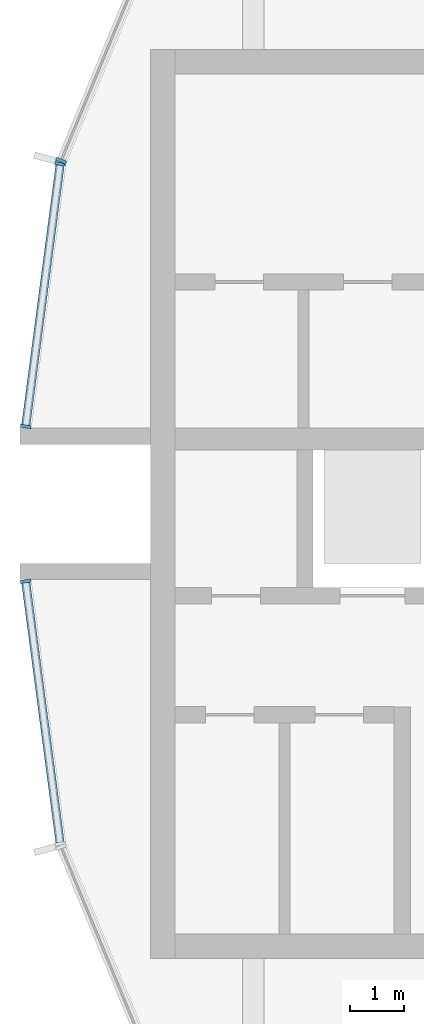
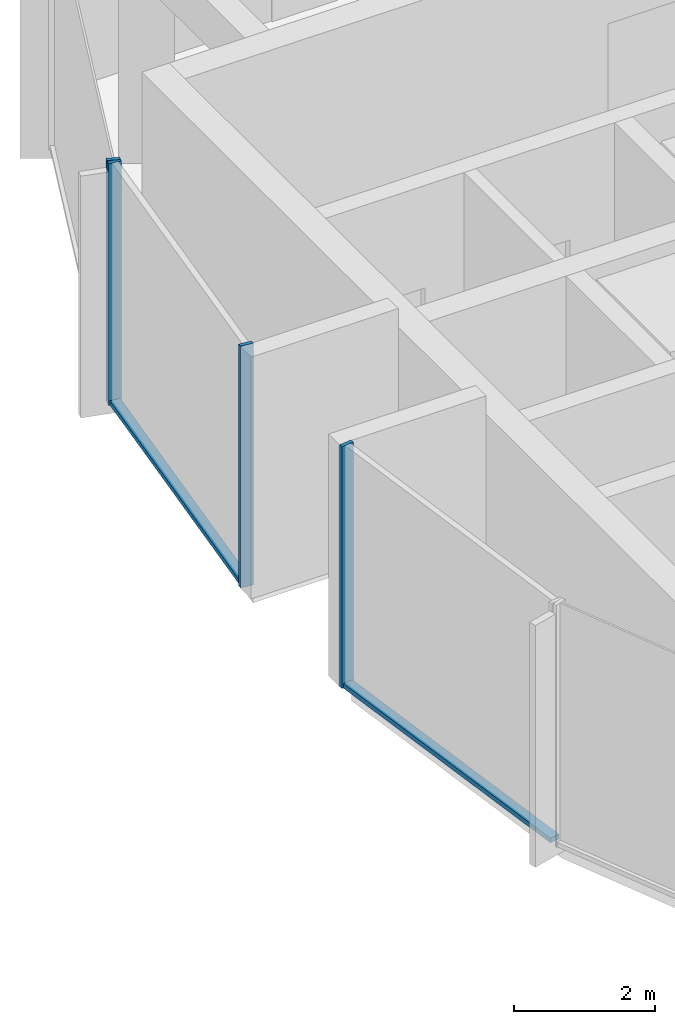
# One storey, part 3 of 15: 6 members, 3 elements without a shape of their own.
"""IFC4 building model written with IfcOpenShell, lengths in metres."""

from ifc_helpers import new_model, si_unit, direction, frame, origin, origin_2d, place, context, subcontext, project, spatial, rectangle, extrude, material, layer, layer_set, material_profile, profile_set, type_object, element, aggregate, save


model = new_model("IFC4")

# Units and contexts
model_context = context("Model", 3, precision=1e-05, world=origin(), true_north=direction((0.0, 1.0)))
body_context = subcontext(model_context, "Body", "Model", "MODEL_VIEW")
ifc_project = project(units=[si_unit("LENGTHUNIT", "METRE"), si_unit("AREAUNIT", "SQUARE_METRE"), si_unit("VOLUMEUNIT", "CUBIC_METRE"), si_unit("PLANEANGLEUNIT", "RADIAN"), si_unit("MASSUNIT", "GRAM", prefix="KILO")], contexts=[model_context])

# Site, building, storey
site_placement = place(None, origin())
site = spatial("IfcSite", under=ifc_project, at=site_placement, CompositionType="ELEMENT")
building_placement = place(site_placement, origin())
building = spatial("IfcBuilding", under=site, at=building_placement, Name="Torre Brocal", CompositionType="ELEMENT")
storey_placement = place(building_placement, frame((0.0, 0.0, 284.10009765625)))
storey = spatial("IfcBuildingStorey", under=building, at=storey_placement, Name="L65", CompositionType="ELEMENT", Elevation=284.10009765625)

# Curtain wall, member
ifc_material_1 = material(Name="Aluminium and glass", Category="aluminium")
ifc_layer_1 = layer(ifc_material_1, 0.199951171875)
ifc_layer_set_1 = layer_set([ifc_layer_1], Name="Aluminium and glass")
curtain_wall_type_1 = type_object("IfcCurtainWallType", Name="CW-1 CURTAIN WALL 4200 HIGH", PredefinedType="NOTDEFINED", material=ifc_layer_set_1)
curtain_wall_1_placement = place(storey_placement, origin())
curtain_wall_1 = element("IfcCurtainWall", 1, at=curtain_wall_1_placement, inside=storey, type_object=curtain_wall_type_1, Name="CW-1 RUN 11", PredefinedType="NOTDEFINED")
ifc_material_2 = material(Name="Aluminium, dark anodised", Category="aluminium")
ifc_material_profile_1 = material_profile(ifc_material_2, rectangle(XDim=0.199951171875, YDim=0.06005859375, at=origin_2d()), Name="CW-1 MULLION 60X200")
ifc_profile_set_1 = profile_set([ifc_material_profile_1], Name="Aluminium, dark anodised")
member_type_1 = type_object("IfcMemberType", Name="CW-1 MULLION 60X200", PredefinedType="MULLION", material=ifc_profile_set_1)
member_1_placement = place(storey_placement, frame((56.443603515625, 81.3427734375, 0.0), z_axis=(0.0, 0.0, 1.0), x_axis=(0.923879532471, -0.382683432462, 0.0)))
member_1 = element("IfcMember", 2, at=member_1_placement, type_object=member_type_1, Name="CW1-5 mullion 2", PredefinedType="MULLION", context=body_context, shape_type="SweptSolid", body=[
    extrude(rectangle(XDim=0.199951171875, YDim=0.06005859375, at=origin_2d()), origin(), (0.0, 0.0, 1.0), 4.199951171875),
])
aggregate(curtain_wall_1, [member_1])

# Curtain wall, members
ifc_material_3 = material(Name="Aluminium and glass", Category="aluminium")
ifc_layer_2 = layer(ifc_material_3, 0.199951171875)
ifc_layer_set_2 = layer_set([ifc_layer_2], Name="Aluminium and glass")
curtain_wall_type_2 = type_object("IfcCurtainWallType", Name="CW-1B CURTAIN WALL 4200 HIGH", PredefinedType="NOTDEFINED", material=ifc_layer_set_2)
curtain_wall_2_placement = place(storey_placement, origin())
curtain_wall_2 = element("IfcCurtainWall", 3, at=curtain_wall_2_placement, inside=storey, type_object=curtain_wall_type_2, Name="CW-1B RUN 12", PredefinedType="NOTDEFINED")
ifc_material_4 = material(Name="Aluminium, dark anodised", Category="aluminium")
ifc_material_profile_2 = material_profile(ifc_material_4, rectangle(XDim=0.199951171875, YDim=0.06005859375, at=origin_2d()), Name="CW-1B MULLION 60X200")
ifc_profile_set_2 = profile_set([ifc_material_profile_2], Name="Aluminium, dark anodised")
member_type_2 = type_object("IfcMemberType", Name="CW-1B MULLION 60X200", PredefinedType="MULLION", material=ifc_profile_set_2)
member_2_placement = place(storey_placement, frame((56.42822265625, 81.28515625, 0.0), z_axis=(0.0, 0.0, 1.0), x_axis=(0.991444861387, -0.130526192116, 0.0)))
member_2 = element("IfcMember", 4, at=member_2_placement, type_object=member_type_2, Name="CW1B-5 mullion 1", PredefinedType="MULLION", context=body_context, shape_type="SweptSolid", body=[
    extrude(rectangle(XDim=0.199951171875, YDim=0.06005859375, at=origin_2d()), origin(), (0.0, 0.0, 1.0), 4.199951171875),
])
member_3_placement = place(storey_placement, frame((55.7890625, 76.4296875, 0.0), z_axis=(0.0, 0.0, 1.0), x_axis=(0.991444861387, -0.130526192116, 0.0)))
member_3 = element("IfcMember", 5, at=member_3_placement, type_object=member_type_2, Name="CW1B-5 mullion 2", PredefinedType="MULLION", context=body_context, shape_type="SweptSolid", body=[
    extrude(rectangle(XDim=0.199951171875, YDim=0.06005859375, at=origin_2d()), origin(), (0.0, 0.0, 1.0), 4.199951171875),
])

# Curtain wall, member
curtain_wall_3_placement = place(storey_placement, origin())
curtain_wall_3 = element("IfcCurtainWall", 6, at=curtain_wall_3_placement, inside=storey, type_object=curtain_wall_type_2, Name="CW-1B RUN 13", PredefinedType="NOTDEFINED")
member_4_placement = place(storey_placement, frame((55.7890625, 73.5703125, 0.0), z_axis=(0.0, 0.0, 1.0), x_axis=(0.991444861387, 0.130526192116, 0.0)))
member_4 = element("IfcMember", 7, at=member_4_placement, type_object=member_type_2, Name="CW1B-5 mullion 1", PredefinedType="MULLION", context=body_context, shape_type="SweptSolid", body=[
    extrude(rectangle(XDim=0.199951171875, YDim=0.06005859375, at=origin_2d()), origin(), (0.0, 0.0, 1.0), 4.199951171875),
])

# Member
ifc_material_5 = material(Name="Aluminium, dark anodised", Category="aluminium")
ifc_material_profile_3 = material_profile(ifc_material_5, rectangle(XDim=0.159912109375, YDim=0.080078125, at=origin_2d()), Name="CW-1B TRANSOM 160X80")
ifc_profile_set_3 = profile_set([ifc_material_profile_3], Name="Aluminium, dark anodised")
member_type_3 = type_object("IfcMemberType", Name="CW-1B TRANSOM 160X80", PredefinedType="USERDEFINED", material=ifc_profile_set_3)
member_5_placement = place(storey_placement, frame((56.42431640625, 81.25537109375, 0.039794921875), z_axis=(-0.130517179786, -0.991446047842, 0.0), x_axis=(0.991446047842, -0.130517179786, 0.0)))
member_5 = element("IfcMember", 8, at=member_5_placement, type_object=member_type_3, Name="CW1B-5 transom 1.1", ObjectType="TRANSOM", PredefinedType="USERDEFINED", context=body_context, shape_type="SweptSolid", body=[
    extrude(rectangle(XDim=0.159912109375, YDim=0.080078125, at=origin_2d()), origin(), (0.0, 0.0, 1.0), 4.837158203125),
])

aggregate(curtain_wall_2, [member_2, member_3, member_5])

member_6_placement = place(storey_placement, frame((55.79296875, 73.54052734375, 0.039794921875), z_axis=(0.130517179786, -0.991446047842, 0.0), x_axis=(0.991446047842, 0.130517179786, 0.0)))
member_6 = element("IfcMember", 9, at=member_6_placement, type_object=member_type_3, Name="CW1B-5 transom 1.1", ObjectType="TRANSOM", PredefinedType="USERDEFINED", context=body_context, shape_type="SweptSolid", body=[
    extrude(rectangle(XDim=0.159912109375, YDim=0.080078125, at=origin_2d()), origin(), (0.0, 0.0, 1.0), 4.837158203125),
])

aggregate(curtain_wall_3, [member_4, member_6])

save(model, "model.ifc")
